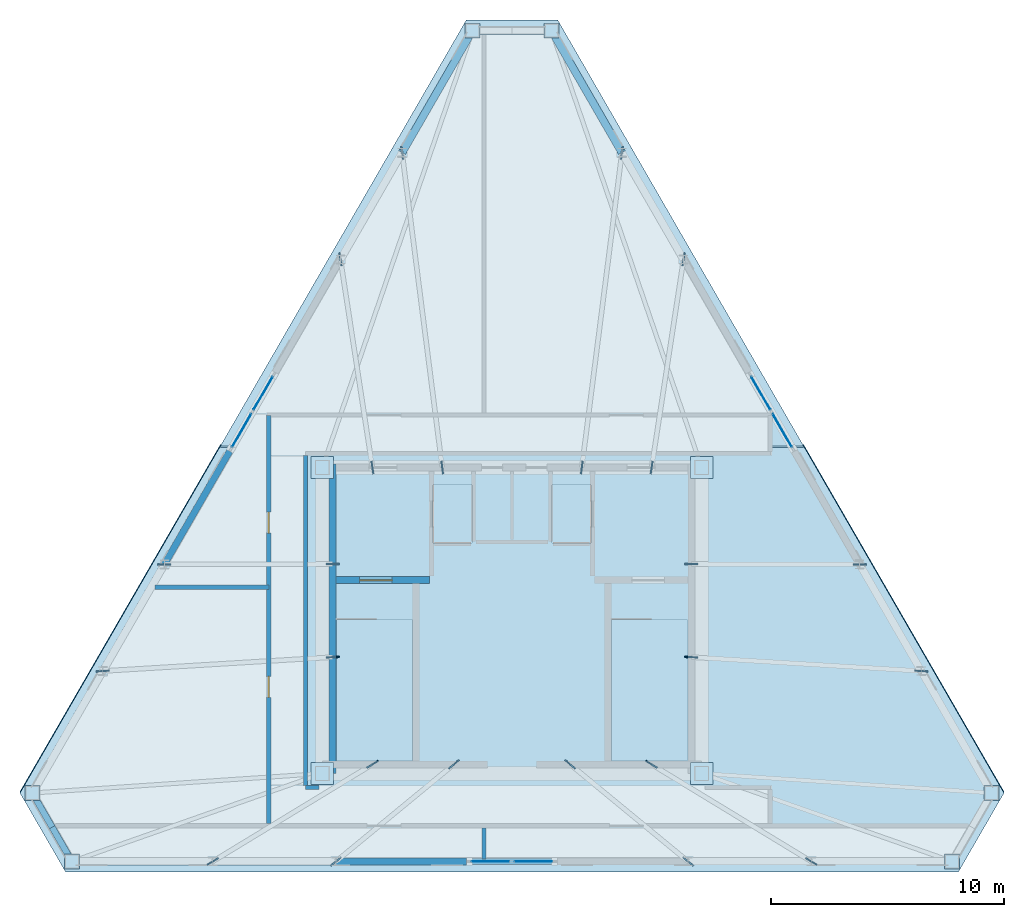
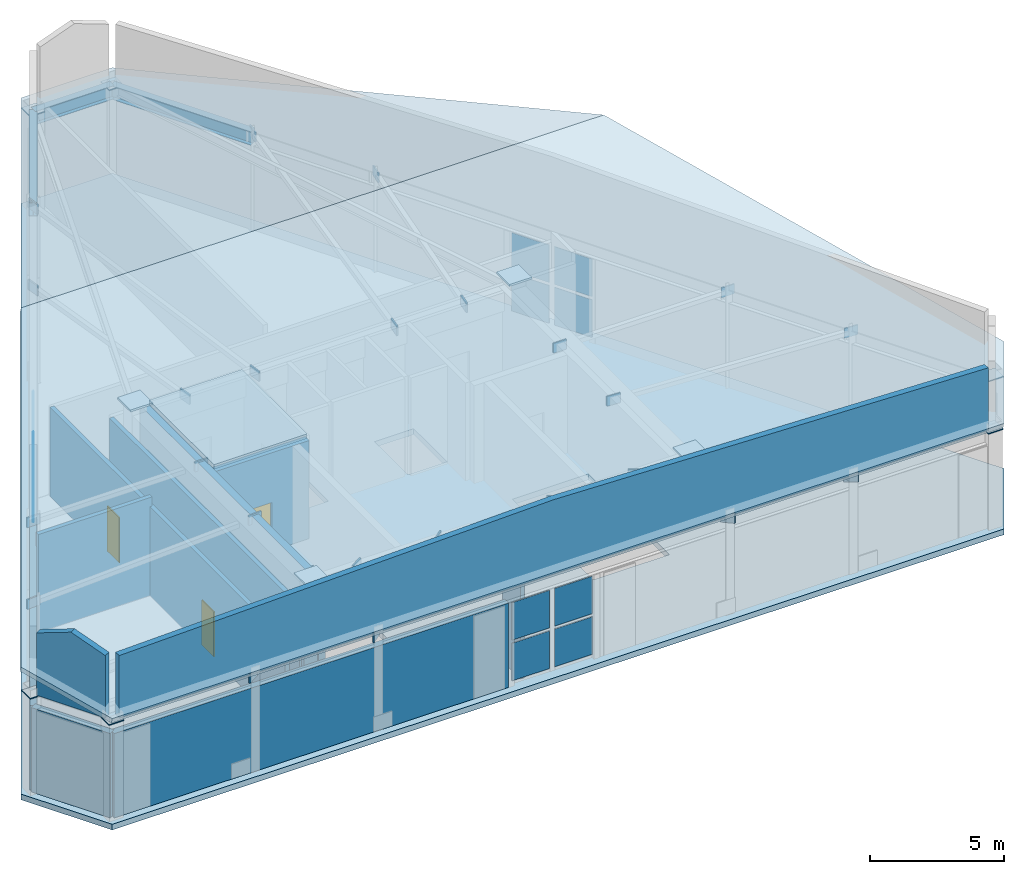
# One storey, part 9 of 11: 46 plates, 12 walls, 4 slabs, 3 beams, 3 doors, 3 openings, 3 elements without a shape of their own.
"""IFC4 building model written with IfcOpenShell, lengths in metres."""

from ifc_helpers import new_model, si_unit, direction, frame, frame_2d, origin, origin_2d, place, context, subcontext, project, spatial, polyline, rectangle, i_section, outline, extrude, material, layer, layer_set, material_profile, profile_set, type_object, element, fill, aggregate, save


model = new_model("IFC4")

# Units and contexts
model_context = context("Model", 3, precision=1e-05, world=origin(), true_north=direction((0.0, 1.0)))
body_context = subcontext(model_context, "Body", "Model", "MODEL_VIEW")
ifc_project = project(units=[si_unit("LENGTHUNIT", "METRE"), si_unit("AREAUNIT", "SQUARE_METRE"), si_unit("VOLUMEUNIT", "CUBIC_METRE"), si_unit("PLANEANGLEUNIT", "RADIAN"), si_unit("MASSUNIT", "GRAM", prefix="KILO")], contexts=[model_context])

# Site, building, storey
site_placement = place(None, origin())
site = spatial("IfcSite", under=ifc_project, at=site_placement, CompositionType="ELEMENT")
building_placement = place(site_placement, origin())
building = spatial("IfcBuilding", under=site, at=building_placement, Name="Oramaril Tower", CompositionType="ELEMENT")
storey_placement = place(building_placement, frame((0.0, 0.0, 318.89990234375)))
storey = spatial("IfcBuildingStorey", under=building, at=storey_placement, Name="L83", CompositionType="ELEMENT", Elevation=318.89990234375)

# Beams
ifc_material_1 = material(Name="Steel ASTM A572 Gr 50", Category="steel")
ifc_material_profile = material_profile(ifc_material_1, i_section(OverallWidth=0.324951171875, OverallDepth=0.612060546875, WebThickness=0.0126953125, FlangeThickness=0.01904296875, at=origin_2d()), Name="W24X104")
ifc_profile_set = profile_set([ifc_material_profile], Name="Steel ASTM A572 Gr 50")
beam_type = type_object("IfcBeamType", Name="BT-SP5", PredefinedType="SPANDREL", material=ifc_profile_set)
beam_1_placement = place(storey_placement, frame((42.224609375, 37.6787109375, 4.154052734375), z_axis=(-0.500013445875, 0.866017640666, 0.0), x_axis=(-0.866017640666, -0.500013445875, 0.0)))
element("IfcBeam", 1, at=beam_1_placement, inside=storey, type_object=beam_type, Name="L83 Perimeter Spandrel 12", PredefinedType="SPANDREL", context=body_context, shape_type="SweptSolid", body=[
    extrude(i_section(OverallWidth=0.324951171875, OverallDepth=0.612060546875, WebThickness=0.0126953125, FlangeThickness=0.01904296875, at=origin_2d()), origin(), (0.0, 0.0, 1.0), 6.052001953125),
])
beam_2_placement = place(storey_placement, frame((39.198486328125, 42.919921875, 4.154052734375), z_axis=(-1.0, 0.0, 0.0), x_axis=(0.0, -1.0, 0.0)))
element("IfcBeam", 2, at=beam_2_placement, inside=storey, type_object=beam_type, Name="L83 Perimeter Spandrel 13", PredefinedType="SPANDREL", context=body_context, shape_type="SweptSolid", body=[
    extrude(i_section(OverallWidth=0.324951171875, OverallDepth=0.612060546875, WebThickness=0.0126953125, FlangeThickness=0.01904296875, at=origin_2d()), origin(), (0.0, 0.0, 1.0), 3.39697265625),
])
beam_3_placement = place(storey_placement, frame((35.801513671875, 42.919921875, 4.154052734375), z_axis=(-0.500013445875, -0.866017640666, 0.0), x_axis=(0.866017640666, -0.500013445875, 0.0)))
element("IfcBeam", 3, at=beam_3_placement, inside=storey, type_object=beam_type, Name="L83 Perimeter Spandrel 14", PredefinedType="SPANDREL", context=body_context, shape_type="SweptSolid", body=[
    extrude(i_section(OverallWidth=0.324951171875, OverallDepth=0.612060546875, WebThickness=0.0126953125, FlangeThickness=0.01904296875, at=origin_2d()), origin(), (0.0, 0.0, 1.0), 6.052001953125),
])

# Plates
ifc_material_2 = material(Name="Steel ASTM A572 Gr 50", Category="steel")
ifc_layer_1 = layer(ifc_material_2, 0.044921875)
ifc_layer_set_1 = layer_set([ifc_layer_1], Name="PLT-C45")
plate_type_1 = type_object("IfcPlateType", Name="PLT-C45", PredefinedType="USERDEFINED", material=ifc_layer_set_1)
for number, where, z_axis, x_axis, name in (
    (4, (16.88818359375, 10.160888671875, 4.4150390625), (0.0, 0.0, 1.0), (1.0, 0.0, 0.0), "L83 Column Cap Plate CP-01"),
    (5, (18.586669921875, 7.218994140625, 4.4150390625), (0.0, 0.0, 1.0), (1.0, 0.0, 0.0), "L83 Column Cap Plate CP-02"),
    (6, (56.413330078125, 7.218994140625, 4.4150390625), (0.0, 0.0, 1.0), (1.0, 0.0, 0.0), "L83 Column Cap Plate CP-03"),
    (7, (58.11181640625, 10.160888671875, 4.4150390625), (0.0, 0.0, 1.0), (1.0, 0.0, 0.0), "L83 Column Cap Plate CP-04"),
    (8, (39.198486328125, 42.919921875, 4.4150390625), (0.0, 0.0, 1.0), (1.0, 0.0, 0.0), "L83 Column Cap Plate CP-05"),
    (9, (35.801513671875, 42.919921875, 4.4150390625), (0.0, 0.0, 1.0), (1.0, 0.0, 0.0), "L83 Column Cap Plate CP-06"),
):
    element("IfcPlate", number, at=place(storey_placement, frame(where, z_axis=z_axis, x_axis=x_axis)), inside=storey, type_object=plate_type_1, Name=name, ObjectType="CAP", PredefinedType="USERDEFINED", context=body_context, shape_type="SweptSolid", body=[
        extrude(rectangle(XDim=0.639892578125, YDim=0.639892578125, at=origin_2d()), origin(), (0.0, 0.0, 1.0), 0.044921875),
    ])
ifc_material_3 = material(Name="Steel ASTM A572 Gr 50", Category="steel")
ifc_layer_2 = layer(ifc_material_3, 0.0849609375)
ifc_layer_set_2 = layer_set([ifc_layer_2], Name="PLT-C85")
plate_type_2 = type_object("IfcPlateType", Name="PLT-C85", PredefinedType="USERDEFINED", material=ifc_layer_set_2)
for number, where, z_axis, x_axis, name in (
    (10, (29.35009765625, 11.0, 4.800048828125), (0.0, 0.0, 1.0), (1.0, 0.0, 0.0), "L83 Core Column Cap Plate CP-01"),
    (11, (45.64990234375, 11.0, 4.800048828125), (0.0, 0.0, 1.0), (1.0, 0.0, 0.0), "L83 Core Column Cap Plate CP-01"),
    (12, (45.64990234375, 24.14990234375, 4.800048828125), (0.0, 0.0, 1.0), (1.0, 0.0, 0.0), "L83 Core Column Cap Plate CP-01"),
    (13, (29.35009765625, 24.14990234375, 4.800048828125), (0.0, 0.0, 1.0), (1.0, 0.0, 0.0), "L83 Core Column Cap Plate CP-01"),
):
    element("IfcPlate", number, at=place(storey_placement, frame(where, z_axis=z_axis, x_axis=x_axis)), inside=storey, type_object=plate_type_2, Name=name, ObjectType="CAP", PredefinedType="USERDEFINED", context=body_context, shape_type="SweptSolid", body=[
        extrude(rectangle(XDim=0.9599609375, YDim=0.9599609375, at=origin_2d()), origin(), (0.0, 0.0, 1.0), 0.0849609375),
    ])

# Curtain wall, plates
ifc_material_4 = material(Name="Anodised Aluminium 6063-T6", Category="aluminium")
ifc_layer_3 = layer(ifc_material_4, 0.219970703125)
ifc_layer_set_3 = layer_set([ifc_layer_3], Name="CWT-SYS6")
curtain_wall_type = type_object("IfcCurtainWallType", Name="CWT-SYS6", PredefinedType="NOTDEFINED", material=ifc_layer_set_3)
curtain_wall_1_placement = place(storey_placement, origin())
curtain_wall_1 = element("IfcCurtainWall", 14, at=curtain_wall_1_placement, inside=storey, type_object=curtain_wall_type, Name="L83 Unitised Curtain Wall CW-6", PredefinedType="NOTDEFINED")
ifc_material_5 = material(Name="Coastal Low-E Insulated Glass", Category="glass")
ifc_layer_4 = layer(ifc_material_5, 0.035888671875)
ifc_layer_set_4 = layer_set([ifc_layer_4], Name="PLT-CWP3")
plate_type_3 = type_object("IfcPlateType", Name="PLT-CWP3", PredefinedType="CURTAIN_PANEL", material=ifc_layer_set_4)
plate_1_placement = place(storey_placement, frame((36.580078125, 7.218994140625, 0.14013671875), z_axis=(0.0, 0.0, 1.0), x_axis=(1.0, 0.0, 0.0)))
plate_1 = element("IfcPlate", 15, at=plate_1_placement, type_object=plate_type_3, Name="CW-6 panel 1.1", PredefinedType="CURTAIN_PANEL", context=body_context, shape_type="SweptSolid", body=[
    extrude(rectangle(XDim=1.6201171875, YDim=0.035888671875, at=origin_2d()), origin(), (0.0, 0.0, 1.0), 1.708984375),
])
plate_2_placement = place(storey_placement, frame((36.580078125, 7.218994140625, 1.989013671875), z_axis=(0.0, 0.0, 1.0), x_axis=(1.0, 0.0, 0.0)))
plate_2 = element("IfcPlate", 16, at=plate_2_placement, type_object=plate_type_3, Name="CW-6 panel 1.2", PredefinedType="CURTAIN_PANEL", context=body_context, shape_type="SweptSolid", body=[
    extrude(rectangle(XDim=1.6201171875, YDim=0.035888671875, at=origin_2d()), origin(), (0.0, 0.0, 1.0), 1.708984375),
])
plate_3_placement = place(storey_placement, frame((38.419921875, 7.218994140625, 0.14013671875), z_axis=(0.0, 0.0, 1.0), x_axis=(1.0, 0.0, 0.0)))
plate_3 = element("IfcPlate", 17, at=plate_3_placement, type_object=plate_type_3, Name="CW-6 panel 2.1", PredefinedType="CURTAIN_PANEL", context=body_context, shape_type="SweptSolid", body=[
    extrude(rectangle(XDim=1.6201171875, YDim=0.035888671875, at=origin_2d()), origin(), (0.0, 0.0, 1.0), 1.708984375),
])
plate_4_placement = place(storey_placement, frame((38.419921875, 7.218994140625, 1.989013671875), z_axis=(0.0, 0.0, 1.0), x_axis=(1.0, 0.0, 0.0)))
plate_4 = element("IfcPlate", 18, at=plate_4_placement, type_object=plate_type_3, Name="CW-6 panel 2.2", PredefinedType="CURTAIN_PANEL", context=body_context, shape_type="SweptSolid", body=[
    extrude(rectangle(XDim=1.6201171875, YDim=0.035888671875, at=origin_2d()), origin(), (0.0, 0.0, 1.0), 1.708984375),
])
aggregate(curtain_wall_1, [plate_1, plate_2, plate_3, plate_4])

curtain_wall_2_placement = place(storey_placement, origin())
curtain_wall_2 = element("IfcCurtainWall", 19, at=curtain_wall_2_placement, inside=storey, type_object=curtain_wall_type, Name="L83 Unitised Curtain Wall CW-6", PredefinedType="NOTDEFINED")
plate_5_placement = place(storey_placement, frame((49.115234375, 25.74365234375, 0.14013671875), z_axis=(0.0, 0.0, 1.0), x_axis=(-0.499999897278, 0.866025463091, 0.0)))
plate_5 = element("IfcPlate", 20, at=plate_5_placement, type_object=plate_type_3, Name="CW-6 panel 1.1", PredefinedType="CURTAIN_PANEL", context=body_context, shape_type="SweptSolid", body=[
    extrude(rectangle(XDim=1.6201171875, YDim=0.035888671875, at=origin_2d()), origin(), (0.0, 0.0, 1.0), 1.708984375),
])
plate_6_placement = place(storey_placement, frame((49.115234375, 25.74365234375, 1.989013671875), z_axis=(0.0, 0.0, 1.0), x_axis=(-0.499999897278, 0.866025463091, 0.0)))
plate_6 = element("IfcPlate", 21, at=plate_6_placement, type_object=plate_type_3, Name="CW-6 panel 1.2", PredefinedType="CURTAIN_PANEL", context=body_context, shape_type="SweptSolid", body=[
    extrude(rectangle(XDim=1.6201171875, YDim=0.035888671875, at=origin_2d()), origin(), (0.0, 0.0, 1.0), 1.708984375),
])
plate_7_placement = place(storey_placement, frame((48.1953125, 27.337158203125, 0.14013671875), z_axis=(0.0, 0.0, 1.0), x_axis=(-0.499999897278, 0.866025463091, 0.0)))
plate_7 = element("IfcPlate", 22, at=plate_7_placement, type_object=plate_type_3, Name="CW-6 panel 2.1", PredefinedType="CURTAIN_PANEL", context=body_context, shape_type="SweptSolid", body=[
    extrude(rectangle(XDim=1.6201171875, YDim=0.035888671875, at=origin_2d()), origin(), (0.0, 0.0, 1.0), 1.708984375),
])
plate_8_placement = place(storey_placement, frame((48.1953125, 27.337158203125, 1.989013671875), z_axis=(0.0, 0.0, 1.0), x_axis=(-0.499999897278, 0.866025463091, 0.0)))
plate_8 = element("IfcPlate", 23, at=plate_8_placement, type_object=plate_type_3, Name="CW-6 panel 2.2", PredefinedType="CURTAIN_PANEL", context=body_context, shape_type="SweptSolid", body=[
    extrude(rectangle(XDim=1.6201171875, YDim=0.035888671875, at=origin_2d()), origin(), (0.0, 0.0, 1.0), 1.708984375),
])
aggregate(curtain_wall_2, [plate_5, plate_6, plate_7, plate_8])

curtain_wall_3_placement = place(storey_placement, origin())
curtain_wall_3 = element("IfcCurtainWall", 24, at=curtain_wall_3_placement, inside=storey, type_object=curtain_wall_type, Name="L83 Unitised Curtain Wall CW-6", PredefinedType="NOTDEFINED")
plate_9_placement = place(storey_placement, frame((26.8046875, 27.33740234375, 0.14013671875), z_axis=(0.0, 0.0, 1.0), x_axis=(-0.499999897278, -0.866025463091, 0.0)))
plate_9 = element("IfcPlate", 25, at=plate_9_placement, type_object=plate_type_3, Name="CW-6 panel 1.1", PredefinedType="CURTAIN_PANEL", context=body_context, shape_type="SweptSolid", body=[
    extrude(rectangle(XDim=1.6201171875, YDim=0.035888671875, at=origin_2d()), origin(), (0.0, 0.0, 1.0), 1.708984375),
])
plate_10_placement = place(storey_placement, frame((26.8046875, 27.33740234375, 1.989013671875), z_axis=(0.0, 0.0, 1.0), x_axis=(-0.499999897278, -0.866025463091, 0.0)))
plate_10 = element("IfcPlate", 26, at=plate_10_placement, type_object=plate_type_3, Name="CW-6 panel 1.2", PredefinedType="CURTAIN_PANEL", context=body_context, shape_type="SweptSolid", body=[
    extrude(rectangle(XDim=1.6201171875, YDim=0.035888671875, at=origin_2d()), origin(), (0.0, 0.0, 1.0), 1.708984375),
])
plate_11_placement = place(storey_placement, frame((25.884765625, 25.743896484375, 0.14013671875), z_axis=(0.0, 0.0, 1.0), x_axis=(-0.499999897278, -0.866025463091, 0.0)))
plate_11 = element("IfcPlate", 27, at=plate_11_placement, type_object=plate_type_3, Name="CW-6 panel 2.1", PredefinedType="CURTAIN_PANEL", context=body_context, shape_type="SweptSolid", body=[
    extrude(rectangle(XDim=1.6201171875, YDim=0.035888671875, at=origin_2d()), origin(), (0.0, 0.0, 1.0), 1.708984375),
])
plate_12_placement = place(storey_placement, frame((25.884765625, 25.743896484375, 1.989013671875), z_axis=(0.0, 0.0, 1.0), x_axis=(-0.499999897278, -0.866025463091, 0.0)))
plate_12 = element("IfcPlate", 28, at=plate_12_placement, type_object=plate_type_3, Name="CW-6 panel 2.2", PredefinedType="CURTAIN_PANEL", context=body_context, shape_type="SweptSolid", body=[
    extrude(rectangle(XDim=1.6201171875, YDim=0.035888671875, at=origin_2d()), origin(), (0.0, 0.0, 1.0), 1.708984375),
])
aggregate(curtain_wall_3, [plate_9, plate_10, plate_11, plate_12])

# Plates
ifc_material_6 = material(Name="Steel ASTM A572 Gr 50", Category="steel")
ifc_layer_5 = layer(ifc_material_6, 0.06005859375)
ifc_layer_set_5 = layer_set([ifc_layer_5], Name="PLT-G60")
plate_type_4 = type_object("IfcPlateType", Name="PLT-G60", PredefinedType="USERDEFINED", material=ifc_layer_set_5)
for number, where, z_axis, x_axis, name in (
    (29, (24.638916015625, 7.218994140625, 4.090087890625), (0.0, 0.0, 1.0), (0.854492377432, 0.519463932253, 0.0), "L83 Crown Rafter End Plate PN-80"),
    (30, (31.5, 11.389892578125, 4.090087890625), (0.0, 0.0, 1.0), (0.854492377432, 0.519463932253, 0.0), "L83 Crown Rafter End Plate PN-80"),
    (31, (29.9345703125, 7.218994140625, 4.090087890625), (0.0, 0.0, 1.0), (0.771968621866, 0.63566063812, 0.0), "L83 Crown Rafter End Plate PN-80"),
    (32, (35.0, 11.389892578125, 4.090087890625), (0.0, 0.0, 1.0), (0.771968621866, 0.63566063812, 0.0), "L83 Crown Rafter End Plate PN-80"),
    (33, (45.0654296875, 7.218994140625, 4.090087890625), (0.0, 0.0, 1.0), (-0.771968621866, 0.63566063812, 0.0), "L83 Crown Rafter End Plate PN-80"),
    (34, (40.0, 11.389892578125, 4.090087890625), (0.0, 0.0, 1.0), (-0.771968621866, 0.63566063812, 0.0), "L83 Crown Rafter End Plate PN-80"),
    (35, (50.361083984375, 7.218994140625, 4.090087890625), (0.0, 0.0, 1.0), (-0.854492377432, 0.519463932253, 0.0), "L83 Crown Rafter End Plate PN-80"),
    (36, (43.5, 11.389892578125, 4.090087890625), (0.0, 0.0, 1.0), (-0.854492377432, 0.519463932253, 0.0), "L83 Crown Rafter End Plate PN-80"),
    (37, (55.085693359375, 15.40234375, 4.090087890625), (0.0, 0.0, 1.0), (-0.998174224568, 0.060400475237, 0.0), "L83 Crown Rafter End Plate PN-80"),
    (38, (45.2099609375, 16.0, 4.090087890625), (0.0, 0.0, 1.0), (-0.998174224568, 0.060400475237, 0.0), "L83 Crown Rafter End Plate PN-80"),
    (39, (52.43798828125, 19.98876953125, 4.090087890625), (0.0, 0.0, 1.0), (-0.999998777242, 0.001563814372, 0.0), "L83 Crown Rafter End Plate PN-80"),
    (40, (45.2099609375, 20.0, 4.090087890625), (0.0, 0.0, 1.0), (-0.999998777242, 0.001563814372, 0.0), "L83 Crown Rafter End Plate PN-80"),
    (41, (44.87255859375, 33.09228515625, 4.090087890625), (0.0, 0.0, 1.0), (-0.151707643827, -0.988425409833, 0.0), "L83 Crown Rafter End Plate PN-80"),
    (42, (43.5, 24.14990234375, 4.090087890625), (0.0, 0.0, 1.0), (-0.151707643827, -0.988425409833, 0.0), "L83 Crown Rafter End Plate PN-80"),
    (43, (42.224609375, 37.6787109375, 4.090087890625), (0.0, 0.0, 1.0), (-0.126455208461, -0.99197231829, 0.0), "L83 Crown Rafter End Plate PN-80"),
    (44, (40.5, 24.14990234375, 4.090087890625), (0.0, 0.0, 1.0), (-0.126455208461, -0.99197231829, 0.0), "L83 Crown Rafter End Plate PN-80"),
    (45, (32.775390625, 37.6787109375, 4.090087890625), (0.0, 0.0, 1.0), (0.126455208461, -0.99197231829, 0.0), "L83 Crown Rafter End Plate PN-80"),
    (46, (34.5, 24.14990234375, 4.090087890625), (0.0, 0.0, 1.0), (0.126455208461, -0.99197231829, 0.0), "L83 Crown Rafter End Plate PN-80"),
    (47, (30.12744140625, 33.09228515625, 4.090087890625), (0.0, 0.0, 1.0), (0.151707643827, -0.988425409833, 0.0), "L83 Crown Rafter End Plate PN-80"),
    (48, (31.5, 24.14990234375, 4.090087890625), (0.0, 0.0, 1.0), (0.151707643827, -0.988425409833, 0.0), "L83 Crown Rafter End Plate PN-80"),
    (49, (22.56201171875, 19.98876953125, 4.090087890625), (0.0, 0.0, 1.0), (0.999998777242, 0.001563814372, 0.0), "L83 Crown Rafter End Plate PN-80"),
    (50, (29.7900390625, 20.0, 4.090087890625), (0.0, 0.0, 1.0), (0.999998777242, 0.001563814372, 0.0), "L83 Crown Rafter End Plate PN-80"),
    (51, (19.914306640625, 15.40234375, 4.090087890625), (0.0, 0.0, 1.0), (0.998174224568, 0.060400475237, 0.0), "L83 Crown Rafter End Plate PN-80"),
    (52, (29.7900390625, 16.0, 4.090087890625), (0.0, 0.0, 1.0), (0.998174224568, 0.060400475237, 0.0), "L83 Crown Rafter End Plate PN-80"),
):
    element("IfcPlate", number, at=place(storey_placement, frame(where, z_axis=z_axis, x_axis=x_axis)), inside=storey, type_object=plate_type_4, Name=name, ObjectType="GUSSET", PredefinedType="USERDEFINED", context=body_context, shape_type="SweptSolid", body=[
        extrude(rectangle(XDim=0.56005859375, YDim=0.06005859375, at=origin_2d()), origin(), (0.0, 0.0, 1.0), 0.43994140625),
    ])

# Slabs
ifc_material_7 = material(Name="Concrete C50/60", Category="concrete")
ifc_layer_6 = layer(ifc_material_7, 0.25)
ifc_layer_set_6 = layer_set([ifc_layer_6], Name="SLT-ROOF25")
slab_type_1 = type_object("IfcSlabType", Name="SLT-ROOF25", PredefinedType="ROOF", material=ifc_layer_set_6)
slab_1_placement = place(storey_placement, frame((58.64306640625, 10.160888671875, 5.775634765625), z_axis=(0.0, -0.275639557096, 0.961261064729), x_axis=(-0.485267297093, -0.84049385383, -0.241009817325)))
element("IfcSlab", 53, at=slab_1_placement, inside=storey, type_object=slab_type_1, Name="L83 Sloped Crown Roof Slab South RS-1", PredefinedType="ROOF", context=body_context, shape_type="SweptSolid", body=[
    extrude(outline(polyline([(0.0, 0.0), (4.047483397071038, 3.0531133177191805e-16), (22.661322780726287, -33.538846953263494), (20.52007737443273, -36.97355071917875), (2.7822200976703515, -36.97375679071347), (-9.384056580323493, -15.052277665208841), (0.0, 0.0)])), origin(), (0.0, 0.0, -1.0), 0.25),
])
slab_2_placement = place(storey_placement, frame((35.535888671875, 43.3798828125, 4.800048828125), z_axis=(0.0, 0.275641889548, 0.9612603959), x_axis=(1.0, 0.0, 0.0)))
element("IfcSlab", 54, at=slab_2_placement, inside=storey, type_object=slab_type_1, Name="L83 Sloped Crown Roof Slab North RS-2", PredefinedType="ROOF", context=body_context, shape_type="SweptSolid", body=[
    extrude(outline(polyline([(0.0, 0.0), (3.92822265625, 0.0), (14.499755859375, -19.048223366393103), (-10.571533203125, -19.048223366393103), (0.0, 0.0)])), origin(), (0.0, 0.0, -1.0), 0.25),
])
ifc_material_8 = material(Name="Concrete C40/50", Category="concrete")
ifc_layer_7 = layer(ifc_material_8, 0.2099609375)
ifc_layer_set_7 = layer_set([ifc_layer_7], Name="SLT-TER21")
slab_type_2 = type_object("IfcSlabType", Name="SLT-TER21", PredefinedType="FLOOR", material=ifc_layer_set_7)
slab_3_placement = place(storey_placement, frame((0.0, 0.0, 4.460205078125)))
element("IfcSlab", 55, at=slab_3_placement, inside=storey, type_object=slab_type_2, Name="L83 Access Hatch Curb Platform Slab", PredefinedType="FLOOR", context=body_context, shape_type="SweptSolid", body=[
    extrude(outline(polyline([(29.93994140625, 19.31005859375), (33.949951171875, 19.31005859375), (33.949951171875, 24.14990234375), (29.93994140625, 24.14990234375), (29.93994140625, 19.31005859375)])), origin(), (0.0, 0.0, 1.0), 0.2099609375),
])
ifc_material_9 = material(Name="Concrete C50/60", Category="concrete")
ifc_layer_8 = layer(ifc_material_9, 0.260009765625)
ifc_layer_set_8 = layer_set([ifc_layer_8], Name="SLT-TRF26")
slab_type_3 = type_object("IfcSlabType", Name="SLT-TRF26", PredefinedType="FLOOR", material=ifc_layer_set_8)
slab_4_placement = place(storey_placement, frame((0.0, 0.0, -0.260009765625)))
element("IfcSlab", 56, at=slab_4_placement, inside=storey, type_object=slab_type_3, Name="L83 Structural Floor Slab", PredefinedType="FLOOR", context=body_context, shape_type="SweptSolid", body=[
    extrude(outline(polyline([(16.35693359375, 10.160888671875), (18.321044921875, 6.759033203125), (56.678955078125, 6.759033203125), (58.64306640625, 10.160888671875), (39.464111328125, 43.3798828125), (35.535888671875, 43.3798828125), (16.35693359375, 10.160888671875)]), holes=[polyline([(29.949951171875, 17.58935546875), (29.949951171875, 11.550048828125), (33.219970703125, 11.550048828125), (33.219970703125, 17.58935546875), (29.949951171875, 17.58935546875)]), polyline([(41.780029296875, 17.58935546875), (41.780029296875, 11.550048828125), (45.050048828125, 11.550048828125), (45.050048828125, 17.58935546875), (41.780029296875, 17.58935546875)]), polyline([(34.110107421875, 20.909912109375), (35.7900390625, 20.909912109375), (35.7900390625, 23.389892578125), (34.110107421875, 23.389892578125), (34.110107421875, 20.909912109375)]), polyline([(39.2099609375, 20.909912109375), (40.889892578125, 20.909912109375), (40.889892578125, 23.389892578125), (39.2099609375, 23.389892578125), (39.2099609375, 20.909912109375)])]), origin(), (0.0, 0.0, 1.0), 0.260009765625),
])

# Walls
ifc_material_10 = material(Name="Warm Cream Limestone", Category="masonry")
ifc_layer_9 = layer(ifc_material_10, 0.2900390625)
ifc_layer_set_9 = layer_set([ifc_layer_9], Name="WT-EXT29")
wall_type_1 = type_object("IfcWallType", Name="WT-EXT29", PredefinedType="SOLIDWALL", material=ifc_layer_set_9)
wall_1_placement = place(storey_placement, frame((16.88818359375, 10.160888671875, 0.0), z_axis=(0.0, 0.0, 1.0), x_axis=(0.499996186757, -0.86602760535, 0.0)))
element("IfcWall", 57, at=wall_1_placement, inside=storey, type_object=wall_type_1, Name="L83 Tower Limestone Facade Wall 1M", PredefinedType="SOLIDWALL", context=body_context, shape_type="SweptSolid", body=[
    extrude(rectangle(XDim=3.39697265625, YDim=0.2900390625, at=frame_2d((1.698486328125, 0.0))), origin(), (0.0, 0.0, 1.0), 3.838134765625),
])
wall_2_placement = place(storey_placement, frame((18.586669921875, 7.218994140625, 0.0), z_axis=(0.0, 0.0, 1.0), x_axis=(1.0, 0.0, 0.0)))
element("IfcWall", 58, at=wall_2_placement, inside=storey, type_object=wall_type_1, Name="L83 Tower Limestone Facade Wall 2L", PredefinedType="SOLIDWALL", context=body_context, shape_type="SweptSolid", body=[
    extrude(rectangle(XDim=16.96337890625, YDim=0.2900390625, at=frame_2d((8.481689453125, 0.0))), origin(), (0.0, 0.0, 1.0), 3.838134765625),
])
wall_3_placement = place(storey_placement, frame((25.369873046875, 24.851806640625, 0.0), z_axis=(0.0, 0.0, 1.0), x_axis=(-0.499994871756, -0.866028364557, 0.0)))
element("IfcWall", 59, at=wall_3_placement, inside=storey, type_object=wall_type_1, Name="L83 Tower Limestone Facade Wall 6R", PredefinedType="SOLIDWALL", context=body_context, shape_type="SweptSolid", body=[
    extrude(rectangle(XDim=16.963623046875, YDim=0.2900390625, at=frame_2d((8.48193359375, 0.0))), origin(), (0.0, 0.0, 1.0), 3.838134765625),
])
ifc_material_11 = material(Name="Warm Cream Limestone", Category="masonry")
ifc_layer_10 = layer(ifc_material_11, 0.27001953125)
ifc_layer_set_10 = layer_set([ifc_layer_10], Name="WT-PRP27")
wall_type_2 = type_object("IfcWallType", Name="WT-PRP27", PredefinedType="PARAPET", material=ifc_layer_set_10)
wall_4_placement = place(storey_placement, frame((16.998046875, 9.970458984375, 4.460205078125), z_axis=(0.0, 0.0, 1.0), x_axis=(0.499974964482, -0.866039857565, 0.0)))
element("IfcWall", 60, at=wall_4_placement, inside=storey, type_object=wall_type_2, Name="L83 Folded Crown Parapet PW-1", PredefinedType="PARAPET", context=body_context, shape_type="SweptSolid", body=[
    extrude(outline(polyline([(0.0, 0.0), (2.957275390625, 0.0), (2.95703125, 2.83984375), (1.478515625, 3.389892578125), (0.0, 2.83984375), (0.0, 0.0)])), frame((0.0, 0.135009765625, 0.0), z_axis=(0.0, -1.0, 0.0), x_axis=(1.0, 0.0, 0.0)), (0.0, 0.0, 1.0), 0.27001953125),
])
wall_5_placement = place(storey_placement, frame((18.806640625, 7.218994140625, 4.460205078125), z_axis=(0.0, 0.0, 1.0), x_axis=(1.0, 0.0, 0.0)))
element("IfcWall", 61, at=wall_5_placement, inside=storey, type_object=wall_type_2, Name="L83 Folded Crown Parapet PW-2", PredefinedType="PARAPET", context=body_context, shape_type="SweptSolid", body=[
    extrude(outline(polyline([(0.0, 0.0), (37.38671875, 0.0), (37.38671875, 2.83984375), (18.693359375, 3.389892578125), (0.0, 2.83984375), (0.0, 0.0)])), frame((0.0, 0.135009765625, 0.0), z_axis=(0.0, -1.0, 0.0), x_axis=(1.0, 0.0, 0.0)), (0.0, 0.0, 1.0), 0.27001953125),
])
ifc_material_12 = material(Name="Autoclaved Cellular Concrete Block", Category="concrete")
ifc_layer_11 = layer(ifc_material_12, 0.179931640625)
ifc_layer_set_11 = layer_set([ifc_layer_11], Name="WT-PT18")
wall_type_3 = type_object("IfcWallType", Name="WT-PT18", PredefinedType="PARTITIONING", material=ifc_layer_set_11)
wall_6_placement = place(storey_placement, frame((28.6201171875, 10.39990234375, 0.0), z_axis=(0.0, 0.0, 1.0), x_axis=(1.0, 0.0, 0.0)))
element("IfcWall", 62, at=wall_6_placement, inside=storey, type_object=wall_type_3, Name="L83 Interior Partition PT-18", PredefinedType="PARTITIONING", context=body_context, shape_type="SweptSolid", body=[
    extrude(rectangle(XDim=0.579833984375, YDim=0.179931640625, at=frame_2d((0.2900390625, 0.0))), origin(), (0.0, 0.0, 1.0), 4.460205078125),
])
wall_7_placement = place(storey_placement, frame((22.163330078125, 19.0, 0.0), z_axis=(0.0, 0.0, 1.0), x_axis=(1.0, 0.0, 0.0)))
element("IfcWall", 63, at=wall_7_placement, inside=storey, type_object=wall_type_3, Name="L83 Interior Partition PT-18", PredefinedType="PARTITIONING", context=body_context, shape_type="SweptSolid", body=[
    extrude(rectangle(XDim=4.88671875, YDim=0.179931640625, at=frame_2d((2.443359375, 0.0))), origin(), (0.0, 0.0, 1.0), 4.460205078125),
])

# Wall, openings, doors
wall_8_placement = place(storey_placement, frame((27.050048828125, 8.843994140625, 0.0), z_axis=(0.0, 0.0, 1.0), x_axis=(0.0, 1.0, 0.0)))
wall_8 = element("IfcWall", 64, at=wall_8_placement, inside=storey, type_object=wall_type_3, Name="L83 Interior Partition PT-18", PredefinedType="PARTITIONING", context=body_context, shape_type="SweptSolid", body=[
    extrude(rectangle(XDim=17.530029296875, YDim=0.179931640625, at=frame_2d((8.76513671875, 0.0))), origin(), (0.0, 0.0, 1.0), 4.046142578125),
])
opening_1_placement = place(wall_8_placement, frame((5.431884765625, 0.0, 0.0)))
opening_1 = element("IfcOpeningElement", 65, at=opening_1_placement, cuts=wall_8, Name="Opening D-L83-05", PredefinedType="OPENING", context=body_context, shape_type="SweptSolid", body=[
    extrude(rectangle(XDim=0.89990234375, YDim=2.050048828125, at=frame_2d((0.449951171875, 1.02490234375))), frame((0.0, 0.08984375, 0.0), z_axis=(0.0, -1.0, 0.0), x_axis=(1.0, 0.0, 0.0)), (0.0, 0.0, 1.0), 0.179931640625),
])
opening_2_placement = place(wall_8_placement, frame((12.482177734375, 0.0, 0.0)))
opening_2 = element("IfcOpeningElement", 66, at=opening_2_placement, cuts=wall_8, Name="Opening D-L83-06", PredefinedType="OPENING", context=body_context, shape_type="SweptSolid", body=[
    extrude(rectangle(XDim=0.89990234375, YDim=2.050048828125, at=frame_2d((0.449951171875, 1.02490234375))), frame((0.0, 0.08984375, 0.0), z_axis=(0.0, -1.0, 0.0), x_axis=(1.0, 0.0, 0.0)), (0.0, 0.0, 1.0), 0.179931640625),
])
ifc_material_13 = material(Name="Painted Galvanised Steel", Category="steel")
door_type_1 = type_object("IfcDoorType", Name="DT-SVC", OperationType="NOTDEFINED", PredefinedType="DOOR", material=ifc_material_13)
door_1_placement = place(opening_1_placement, origin())
door_1 = element("IfcDoor", 67, at=door_1_placement, inside=storey, type_object=door_type_1, Name="L83 L83 Water Booster Plant Room Door D-L83-05", OperationType="SINGLE_SWING_RIGHT", OverallHeight=2.050048828125, OverallWidth=0.89990234375, PredefinedType="DOOR", context=body_context, shape_type="SweptSolid", body=[
    extrude(rectangle(XDim=0.89990234375, YDim=2.050048828125, at=frame_2d((0.449951171875, 1.02490234375))), frame((0.0, 0.02490234375, 0.0), z_axis=(0.0, -1.0, 0.0), x_axis=(1.0, 0.0, 0.0)), (0.0, 0.0, 1.0), 0.050048828125),
])
fill(opening_1, door_1)
door_2_placement = place(opening_2_placement, origin())
door_2 = element("IfcDoor", 68, at=door_2_placement, inside=storey, type_object=door_type_1, Name="L83 L83 BMS and Controls Plant Room Door D-L83-06", OperationType="SINGLE_SWING_LEFT", OverallHeight=2.050048828125, OverallWidth=0.89990234375, PredefinedType="DOOR", context=body_context, shape_type="SweptSolid", body=[
    extrude(rectangle(XDim=0.89990234375, YDim=2.050048828125, at=frame_2d((0.449951171875, 1.02490234375))), frame((0.0, 0.02490234375, 0.0), z_axis=(0.0, -1.0, 0.0), x_axis=(1.0, 0.0, 0.0)), (0.0, 0.0, 1.0), 0.050048828125),
])
fill(opening_2, door_2)

# Walls
wall_9_placement = place(storey_placement, frame((28.6201171875, 10.493896484375, 0.0), z_axis=(0.0, 0.0, 1.0), x_axis=(0.0, 1.0, 0.0)))
element("IfcWall", 69, at=wall_9_placement, inside=storey, type_object=wall_type_3, Name="L83 Interior Partition PT-18", PredefinedType="PARTITIONING", context=body_context, shape_type="SweptSolid", body=[
    extrude(rectangle(XDim=14.162109375, YDim=0.179931640625, at=frame_2d((7.0810546875, 0.0))), origin(), (0.0, 0.0, 1.0), 4.046142578125),
])
wall_10_placement = place(storey_placement, frame((36.300048828125, 7.3330078125, 0.0), z_axis=(0.0, 0.0, 1.0), x_axis=(0.0, 1.0, 0.0)))
element("IfcWall", 70, at=wall_10_placement, inside=storey, type_object=wall_type_3, Name="L83 Interior Partition PT-18", PredefinedType="PARTITIONING", context=body_context, shape_type="SweptSolid", body=[
    extrude(rectangle(XDim=1.322998046875, YDim=0.179931640625, at=frame_2d((0.66162109375, 0.0))), origin(), (0.0, 0.0, 1.0), 4.460205078125),
])
ifc_material_14 = material(Name="Concrete C50/60", Category="concrete")
ifc_layer_12 = layer(ifc_material_14, 0.300048828125)
ifc_layer_set_12 = layer_set([ifc_layer_12], Name="WT-SH30")
wall_type_4 = type_object("IfcWallType", Name="WT-SH30", PredefinedType="SHEAR", material=ifc_layer_set_12)
wall_11_placement = place(storey_placement, frame((29.7900390625, 11.0, 0.0), z_axis=(0.0, 0.0, 1.0), x_axis=(0.0, 1.0, 0.0)))
element("IfcWall", 71, at=wall_11_placement, inside=storey, type_object=wall_type_4, Name="L83 Core Shear Wall CW-W", PredefinedType="SHEAR", context=body_context, shape_type="SweptSolid", body=[
    extrude(rectangle(XDim=13.300048828125, YDim=0.300048828125, at=frame_2d((6.64990234375, 0.0))), origin(), (0.0, 0.0, 1.0), 4.460205078125),
])

# Wall, opening, door
wall_12_placement = place(storey_placement, frame((29.93994140625, 19.31005859375, 0.0), z_axis=(0.0, 0.0, 1.0), x_axis=(1.0, 0.0, 0.0)))
wall_12 = element("IfcWall", 72, at=wall_12_placement, inside=storey, type_object=wall_type_4, Name="L83 Core Shear Wall CW-ST1N", PredefinedType="SHEAR", context=body_context, shape_type="SweptSolid", body=[
    extrude(rectangle(XDim=4.010009765625, YDim=0.300048828125, at=frame_2d((2.0048828125, 0.0))), origin(), (0.0, 0.0, 1.0), 4.460205078125),
])
opening_3_placement = place(wall_12_placement, frame((1.010009765625, 0.0, 0.0)))
opening_3 = element("IfcOpeningElement", 73, at=opening_3_placement, cuts=wall_12, Name="Opening D-L83-ST1", PredefinedType="OPENING", context=body_context, shape_type="SweptSolid", body=[
    extrude(rectangle(XDim=1.39990234375, YDim=2.199951171875, at=frame_2d((0.699951171875, 1.10009765625))), frame((0.0, 0.14990234375, 0.0), z_axis=(0.0, -1.0, 0.0), x_axis=(1.0, 0.0, 0.0)), (0.0, 0.0, 1.0), 0.300048828125),
])
ifc_material_15 = material(Name="Painted Galvanised Steel", Category="steel")
door_type_2 = type_object("IfcDoorType", Name="DT-ST", OperationType="NOTDEFINED", PredefinedType="DOOR", material=ifc_material_15)
door_3_placement = place(opening_3_placement, origin())
door_3 = element("IfcDoor", 74, at=door_3_placement, inside=storey, type_object=door_type_2, Name="L83 Protected Stair ST-1 Fire Door", OperationType="SINGLE_SWING_LEFT", OverallHeight=2.199951171875, OverallWidth=1.39990234375, PredefinedType="DOOR", context=body_context, shape_type="SweptSolid", body=[
    extrude(rectangle(XDim=1.39990234375, YDim=2.199951171875, at=frame_2d((0.699951171875, 1.10009765625))), frame((0.0, 0.02490234375, 0.0), z_axis=(0.0, -1.0, 0.0), x_axis=(1.0, 0.0, 0.0)), (0.0, 0.0, 1.0), 0.050048828125),
])
fill(opening_3, door_3)

save(model, "model.ifc")
